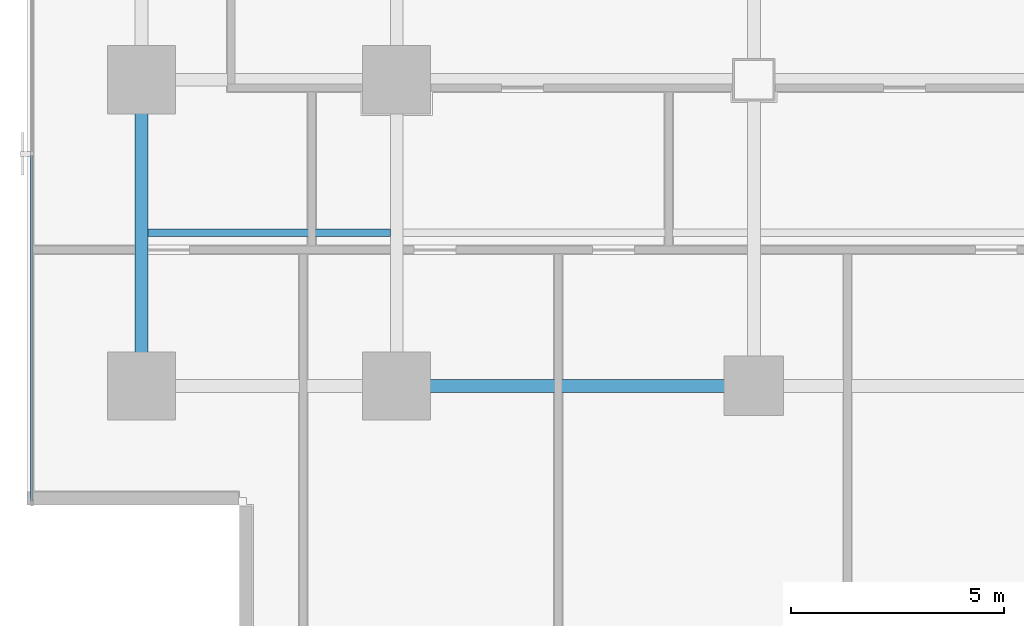
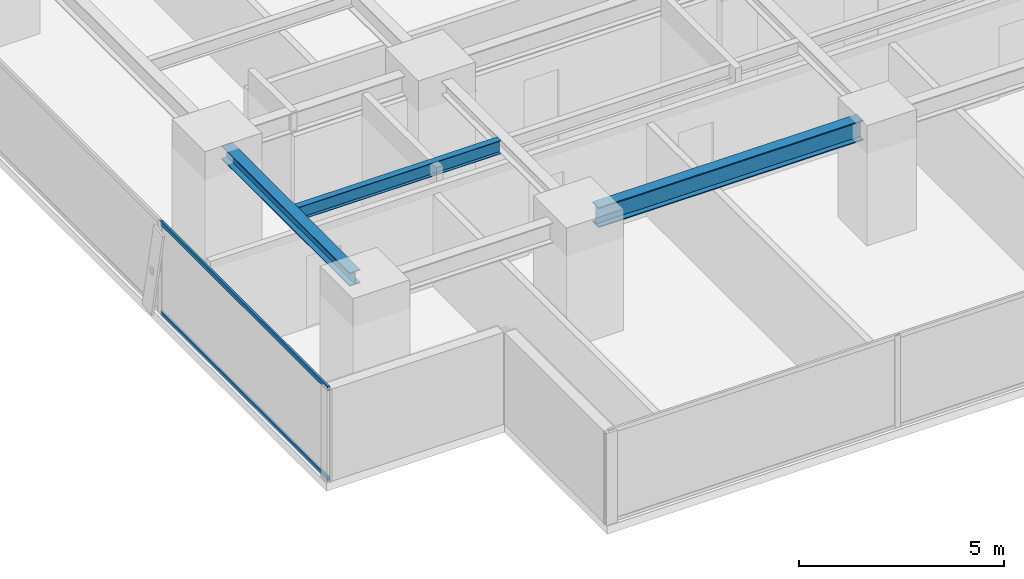
# One storey, part 3 of 37: 3 beams, 2 members, 1 element without a shape of its own.
"""IFC4 building model written with IfcOpenShell, lengths in metres."""

from ifc_helpers import new_model, si_unit, direction, frame, origin, origin_2d, place, context, subcontext, project, spatial, hollow_rectangle, i_section, extrude, source, transform, mapped, material, layer, layer_set, material_profile, profile_set, type_object, element, aggregate, save


model = new_model("IFC4")

# Units and contexts
model_context = context("Model", 3, precision=1e-05, world=origin(), true_north=direction((0.0, 1.0)))
body_context = subcontext(model_context, "Body", "Model", "MODEL_VIEW")
ifc_project = project(units=[si_unit("LENGTHUNIT", "METRE"), si_unit("AREAUNIT", "SQUARE_METRE"), si_unit("VOLUMEUNIT", "CUBIC_METRE"), si_unit("PLANEANGLEUNIT", "RADIAN"), si_unit("MASSUNIT", "GRAM", prefix="KILO")], contexts=[model_context])

# Site, building, storey
site_placement = place(None, origin())
site = spatial("IfcSite", under=ifc_project, at=site_placement, CompositionType="ELEMENT")
building_placement = place(site_placement, origin())
building = spatial("IfcBuilding", under=site, at=building_placement, Name="Sumidabori Civic Tower", CompositionType="ELEMENT")
storey_placement = place(building_placement, frame((0.0, 0.0, 117.199951171875)))
storey = spatial("IfcBuildingStorey", under=building, at=storey_placement, Name="L30", CompositionType="ELEMENT", Elevation=117.199951171875)

# Beams
ifc_material_1 = material(Name="Steel SN490", Category="steel")
ifc_material_profile_1 = material_profile(ifc_material_1, i_section(OverallWidth=0.300048828125, OverallDepth=0.60009765625, WebThickness=0.015380859375, FlangeThickness=0.030029296875, at=origin_2d()), Name="HE 600 B")
ifc_profile_set_1 = profile_set([ifc_material_profile_1], Name="Steel SN490")
beam_type_1 = type_object("IfcBeamType", Name="BM-GIRD-600", PredefinedType="BEAM", material=ifc_profile_set_1)
shared_shape_1 = source(origin(), body_context, "Body", "SweptSolid", [
    extrude(i_section(OverallWidth=0.300048828125, OverallDepth=0.60009765625, WebThickness=0.015380859375, FlangeThickness=0.030029296875, at=origin_2d()), origin(), (0.0, 0.0, 1.0), 7.440185546875),
])
beam_1_placement = place(storey_placement, frame((-16.320068359375, -18.0, 3.06005859375), z_axis=(1.0, 0.0, 0.0), x_axis=(0.0, 1.0, 0.0)))
element("IfcBeam", 1, at=beam_1_placement, inside=storey, type_object=beam_type_1, Name="Primary Girder L30 GX-02", PredefinedType="BEAM", context=body_context, shape_type="MappedRepresentation", body=[
    mapped(shared_shape_1, transform((0.0, 0.0, 0.0), x_axis=(1.0, 0.0, 0.0), y_axis=(0.0, 1.0, 0.0), z_axis=(0.0, 0.0, 1.0), scale=1.0)),
])
ifc_material_profile_2 = material_profile(ifc_material_1, i_section(OverallWidth=0.300048828125, OverallDepth=0.39990234375, WebThickness=0.013427734375, FlangeThickness=0.02392578125, at=origin_2d()), Name="HE 400 B")
ifc_profile_set_2 = profile_set([ifc_material_profile_2], Name="Steel SN490")
beam_type_2 = type_object("IfcBeamType", Name="BM-GIRD-400", PredefinedType="BEAM", material=ifc_profile_set_2)
shared_shape_2 = source(origin(), body_context, "Body", "SweptSolid", [
    extrude(i_section(OverallWidth=0.300048828125, OverallDepth=0.39990234375, WebThickness=0.013427734375, FlangeThickness=0.02392578125, at=origin_2d()), origin(), (0.0, 0.0, 1.0), 6.239990234375),
])
beam_2_placement = place(storey_placement, frame((-22.800048828125, -17.52001953125, 3.16015625), z_axis=(0.0, 1.0, 0.0), x_axis=(-1.0, 0.0, 0.0)))
element("IfcBeam", 2, at=beam_2_placement, inside=storey, type_object=beam_type_2, Name="Primary Girder L30 GY-21", PredefinedType="BEAM", context=body_context, shape_type="MappedRepresentation", body=[
    mapped(shared_shape_2, transform((0.0, 0.0, 0.0), x_axis=(1.0, 0.0, 0.0), y_axis=(0.0, 1.0, 0.0), z_axis=(0.0, 0.0, 1.0), scale=1.0)),
])
ifc_material_profile_3 = material_profile(ifc_material_1, i_section(OverallWidth=0.179931640625, OverallDepth=0.39990234375, WebThickness=0.008544921875, FlangeThickness=0.013427734375, at=origin_2d()), Name="IPE 400")
ifc_profile_set_3 = profile_set([ifc_material_profile_3], Name="Steel SN490")
beam_type_3 = type_object("IfcBeamType", Name="BM-JST-400", PredefinedType="JOIST", material=ifc_profile_set_3)
shared_shape_3 = source(origin(), body_context, "Body", "SweptSolid", [
    extrude(i_section(OverallWidth=0.179931640625, OverallDepth=0.39990234375, WebThickness=0.008544921875, FlangeThickness=0.013427734375, at=origin_2d()), origin(), (0.0, 0.0, 1.0), 5.699951171875),
])
beam_3_placement = place(storey_placement, frame((-22.64990234375, -14.39990234375, 3.16015625), z_axis=(1.0, 0.0, 0.0), x_axis=(0.0, 1.0, 0.0)))
element("IfcBeam", 3, at=beam_3_placement, inside=storey, type_object=beam_type_3, Name="Outer Bay Floor Joist L30 JSTO-51", PredefinedType="JOIST", context=body_context, shape_type="MappedRepresentation", body=[
    mapped(shared_shape_3, transform((0.0, 0.0, 0.0), x_axis=(1.0, 0.0, 0.0), y_axis=(0.0, 1.0, 0.0), z_axis=(0.0, 0.0, 1.0), scale=1.0)),
])

# Curtain wall, members
ifc_material_2 = material(Name="Anodised Bronze Aluminium AW-6063-T6", Category="aluminium")
ifc_layer = layer(ifc_material_2, 0.179931640625, Name="Anodised Bronze Aluminium AW-6063-T6")
ifc_layer_set = layer_set([ifc_layer], Name="Anodised Bronze Aluminium AW-6063-T6")
curtain_wall_type = type_object("IfcCurtainWallType", Name="CW-SYS-3", PredefinedType="NOTDEFINED", material=ifc_layer_set)
curtain_wall_placement = place(storey_placement, origin())
curtain_wall = element("IfcCurtainWall", 4, at=curtain_wall_placement, inside=storey, type_object=curtain_wall_type, Name="Curtain Wall CW:L30:R10", PredefinedType="NOTDEFINED")
ifc_material_profile_4 = material_profile(ifc_material_2, hollow_rectangle(XDim=0.06005859375, YDim=0.1298828125, WallThickness=0.0048828125, at=origin_2d()), Name="ALU TRANSOM 130x60")
ifc_profile_set_4 = profile_set([ifc_material_profile_4], Name="Anodised Bronze Aluminium AW-6063-T6")
member_type = type_object("IfcMemberType", Name="CW-TRN-130", PredefinedType="USERDEFINED", material=ifc_profile_set_4)
shared_shape_4 = source(origin(), body_context, "Body", "SweptSolid", [
    extrude(hollow_rectangle(XDim=0.06005859375, YDim=0.1298828125, WallThickness=0.0048828125, at=origin_2d()), origin(), (0.0, 0.0, 1.0), 8.130615234375),
])
member_1_placement = place(storey_placement, frame((-25.3798828125, -12.574462890625, 0.030029296875), z_axis=(0.0, -1.0, 0.0), x_axis=(1.0, 0.0, 0.0)))
member_1 = element("IfcMember", 5, at=member_1_placement, type_object=member_type, Name="CW-3 transom 5.1", ObjectType="TRANSOM", PredefinedType="USERDEFINED", context=body_context, shape_type="MappedRepresentation", body=[
    mapped(shared_shape_4, transform((0.0, 0.0, 0.0), x_axis=(1.0, 0.0, 0.0), y_axis=(0.0, 1.0, 0.0), z_axis=(0.0, 0.0, 1.0), scale=1.0)),
])
member_2_placement = place(storey_placement, frame((-25.3798828125, -12.574462890625, 2.7099609375), z_axis=(0.0, -1.0, 0.0), x_axis=(1.0, 0.0, 0.0)))
member_2 = element("IfcMember", 6, at=member_2_placement, type_object=member_type, Name="CW-3 transom 5.2", ObjectType="TRANSOM", PredefinedType="USERDEFINED", context=body_context, shape_type="MappedRepresentation", body=[
    mapped(shared_shape_4, transform((0.0, 0.0, 0.0), x_axis=(1.0, 0.0, 0.0), y_axis=(0.0, 1.0, 0.0), z_axis=(0.0, 0.0, 1.0), scale=1.0)),
])
aggregate(curtain_wall, [member_1, member_2])

save(model, "model.ifc")
